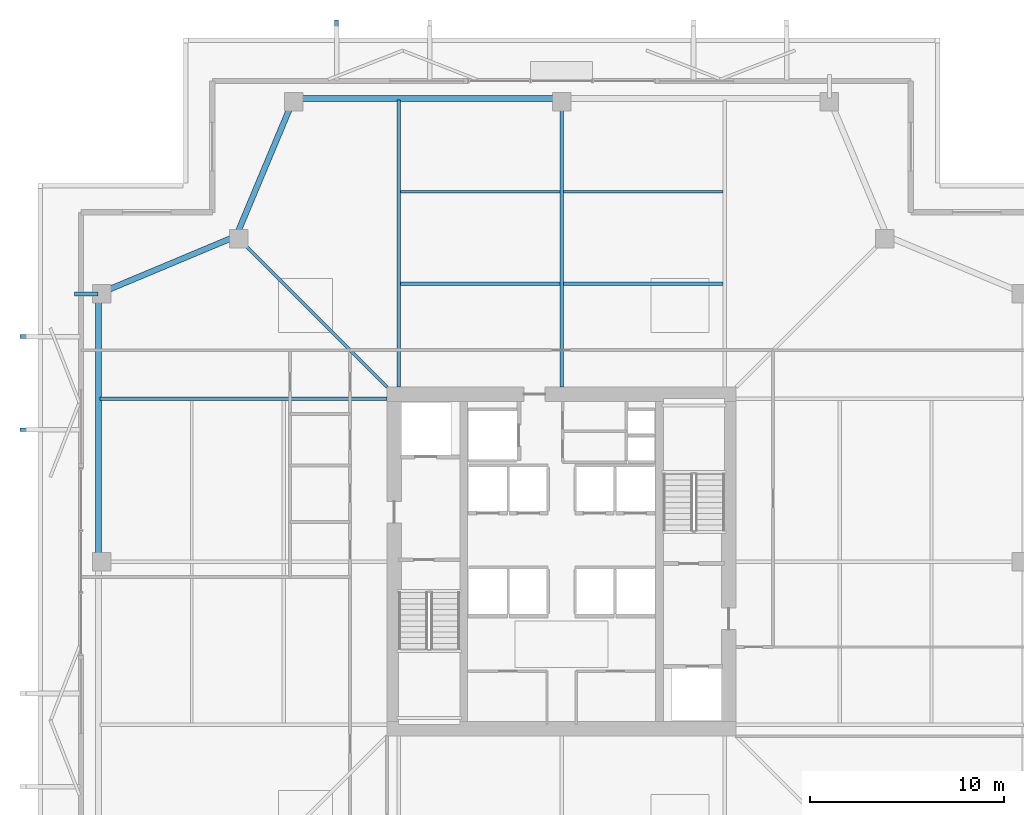
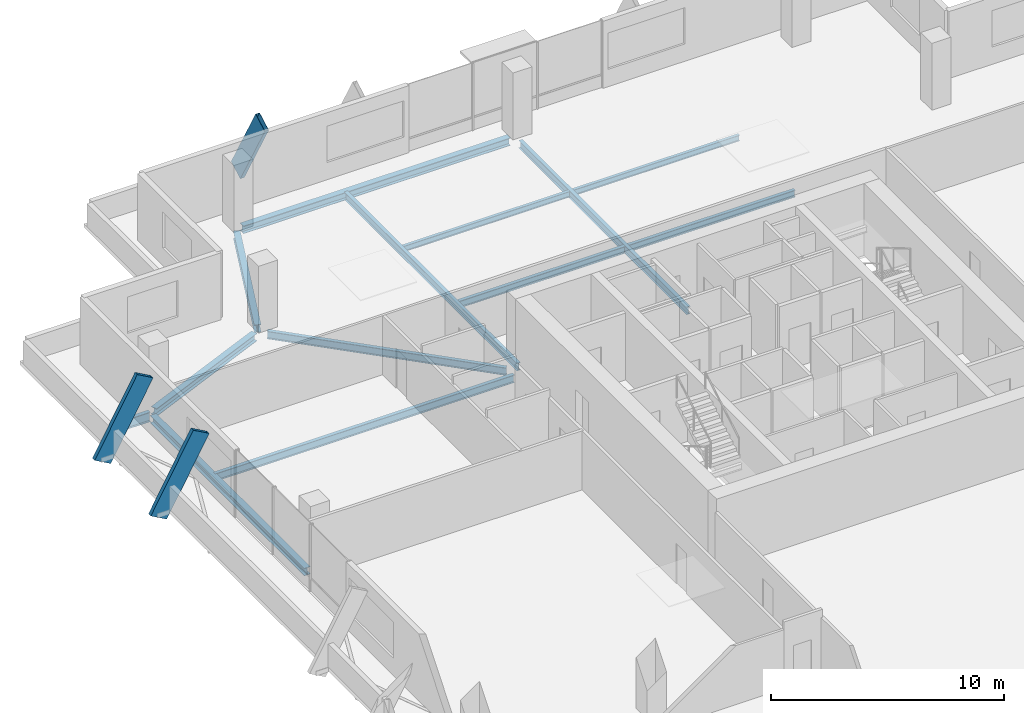
# One storey, part 9 of 17: 13 beams, 3 members.
"""IFC4 building model written with IfcOpenShell, lengths in metres."""

from ifc_helpers import new_model, si_unit, direction, frame, origin, origin_2d, place, context, subcontext, project, spatial, hollow_rectangle, i_section, extrude, material, material_profile, profile_set, type_object, element, save


model = new_model("IFC4")

# Units and contexts
model_context = context("Model", 3, precision=1e-05, world=origin(), true_north=direction((0.0, 1.0)))
body_context = subcontext(model_context, "Body", "Model", "MODEL_VIEW")
ifc_project = project(units=[si_unit("LENGTHUNIT", "METRE"), si_unit("AREAUNIT", "SQUARE_METRE"), si_unit("VOLUMEUNIT", "CUBIC_METRE"), si_unit("PLANEANGLEUNIT", "RADIAN"), si_unit("MASSUNIT", "GRAM", prefix="KILO")], contexts=[model_context])

# Site, building, storey
site_placement = place(None, origin())
site = spatial("IfcSite", under=ifc_project, at=site_placement, CompositionType="ELEMENT")
building_placement = place(site_placement, origin())
building = spatial("IfcBuilding", under=site, at=building_placement, Name="Belovzor Exchange Tower", CompositionType="ELEMENT")
storey_placement = place(building_placement, frame((0.0, 0.0, 246.60009765625)))
storey = spatial("IfcBuildingStorey", under=building, at=storey_placement, Name="L61", CompositionType="ELEMENT", Elevation=246.60009765625)

# Beams
ifc_material_1 = material(Name="Steel S355", Category="steel")
ifc_material_profile_1 = material_profile(ifc_material_1, i_section(OverallWidth=0.199951171875, OverallDepth=0.5, WebThickness=0.01025390625, FlangeThickness=0.01611328125, at=origin_2d()))
ifc_profile_set_1 = profile_set([ifc_material_profile_1], Name="Steel S355")
beam_type_1 = type_object("IfcBeamType", Name="Planted Balcony Cantilever Beam IPE 500", PredefinedType="BEAM", material=ifc_profile_set_1)
beam_1_placement = place(storey_placement, frame((4.906005859375, 42.60009765625, -0.5), z_axis=(-1.0, 0.0, 0.0), x_axis=(0.0, -1.0, 0.0)))
element("IfcBeam", 1, at=beam_1_placement, inside=storey, type_object=beam_type_1, Name="BC-500 Planted Balcony Cantilever Beam IPE 500", PredefinedType="BEAM", context=body_context, shape_type="SweptSolid", body=[
    extrude(i_section(OverallWidth=0.199951171875, OverallDepth=0.5, WebThickness=0.01025390625, FlangeThickness=0.01611328125, at=origin_2d()), origin(), (0.0, 0.0, 1.0), 1.2060546875),
])
ifc_material_2 = material(Name="Steel S355", Category="steel")
ifc_material_profile_2 = material_profile(ifc_material_2, i_section(OverallWidth=0.169921875, OverallDepth=0.360107421875, WebThickness=0.008056640625, FlangeThickness=0.0126953125, at=origin_2d()))
ifc_profile_set_2 = profile_set([ifc_material_profile_2], Name="Steel S355")
beam_type_2 = type_object("IfcBeamType", Name="Secondary Infill Floor Joist IPE 360", PredefinedType="BEAM", material=ifc_profile_set_2)
beam_2_placement = place(storey_placement, frame((20.489990234375, 43.1279296875, -0.43017578125), z_axis=(1.0, 0.0, 0.0), x_axis=(0.0, 1.0, 0.0)))
element("IfcBeam", 2, at=beam_2_placement, inside=storey, type_object=beam_type_2, Name="FJ-360 Secondary Infill Floor Joist IPE 360", PredefinedType="BEAM", context=body_context, shape_type="SweptSolid", body=[
    extrude(i_section(OverallWidth=0.169921875, OverallDepth=0.360107421875, WebThickness=0.008056640625, FlangeThickness=0.0126953125, at=origin_2d()), origin(), (0.0, 0.0, 1.0), 8.219970703125),
])
beam_3_placement = place(storey_placement, frame((28.889892578125, 43.1279296875, -0.43017578125), z_axis=(1.0, 0.0, 0.0), x_axis=(0.0, 1.0, 0.0)))
element("IfcBeam", 3, at=beam_3_placement, inside=storey, type_object=beam_type_2, Name="FJ-360 Secondary Infill Floor Joist IPE 360", PredefinedType="BEAM", context=body_context, shape_type="SweptSolid", body=[
    extrude(i_section(OverallWidth=0.169921875, OverallDepth=0.360107421875, WebThickness=0.008056640625, FlangeThickness=0.0126953125, at=origin_2d()), origin(), (0.0, 0.0, 1.0), 8.22021484375),
])
ifc_material_3 = material(Name="Steel S355", Category="steel")
ifc_material_profile_3 = material_profile(ifc_material_3, i_section(OverallWidth=0.14990234375, OverallDepth=0.300048828125, WebThickness=0.007080078125, FlangeThickness=0.0107421875, at=origin_2d()))
ifc_profile_set_3 = profile_set([ifc_material_profile_3], Name="Steel S355")
beam_type_3 = type_object("IfcBeamType", Name="Secondary Trim Floor Joist IPE 300", PredefinedType="BEAM", material=ifc_profile_set_3)
beam_4_placement = place(storey_placement, frame((20.489990234375, 47.864013671875, -0.400146484375), z_axis=(1.0, 0.0, 0.0), x_axis=(0.0, 1.0, 0.0)))
element("IfcBeam", 4, at=beam_4_placement, inside=storey, type_object=beam_type_3, Name="FJ-300 Secondary Trim Floor Joist IPE 300", PredefinedType="BEAM", context=body_context, shape_type="SweptSolid", body=[
    extrude(i_section(OverallWidth=0.14990234375, OverallDepth=0.300048828125, WebThickness=0.007080078125, FlangeThickness=0.0107421875, at=origin_2d()), origin(), (0.0, 0.0, 1.0), 8.219970703125),
])
beam_5_placement = place(storey_placement, frame((28.889892578125, 47.864013671875, -0.400146484375), z_axis=(1.0, 0.0, 0.0), x_axis=(0.0, 1.0, 0.0)))
element("IfcBeam", 5, at=beam_5_placement, inside=storey, type_object=beam_type_3, Name="FJ-300 Secondary Trim Floor Joist IPE 300", PredefinedType="BEAM", context=body_context, shape_type="SweptSolid", body=[
    extrude(i_section(OverallWidth=0.14990234375, OverallDepth=0.300048828125, WebThickness=0.007080078125, FlangeThickness=0.0107421875, at=origin_2d()), origin(), (0.0, 0.0, 1.0), 8.22021484375),
])

# Members
ifc_material_4 = material(Name="Extruded Architectural Terracotta on Steel S355 Carrier", Category="masonry")
ifc_material_profile_4 = material_profile(ifc_material_4, hollow_rectangle(XDim=0.199951171875, YDim=0.89990234375, WallThickness=0.011962890625, at=origin_2d()))
ifc_profile_set_4 = profile_set([ifc_material_profile_4], Name="Extruded Architectural Terracotta on Steel S355 Carrier")
member_type = type_object("IfcMemberType", Name="Sweeping Terracotta Baguette Fin Assembly 950", PredefinedType="USERDEFINED", material=ifc_profile_set_4)
member_placement = place(storey_placement, frame((17.199951171875, 56.324951171875, -0.25), z_axis=(0.0, -0.488577422588, 0.872520545396), x_axis=(1.0, 0.0, 0.0)))
element("IfcMember", 6, at=member_placement, inside=storey, type_object=member_type, Name="FIN-TC095 Terracotta Facade Fin L61 N1", ObjectType="FIN", PredefinedType="USERDEFINED", context=body_context, shape_type="SweptSolid", body=[
    extrude(hollow_rectangle(XDim=0.199951171875, YDim=0.89990234375, WallThickness=0.011962890625, at=origin_2d()), origin(), (0.0, 0.0, 1.0), 4.2978515625),
])
for number, where, z_axis, x_axis, name in (
    (7, (1.27490234375, 35.60009765625, -0.25), (0.488620665774, 0.0, 0.872496329493), (0.0, 1.0, 0.0), "FIN-TC095 Terracotta Facade Fin L61 W3"),
    (8, (1.27490234375, 40.39990234375, -0.25), (0.488620665774, 0.0, 0.872496329493), (0.0, 1.0, 0.0), "FIN-TC095 Terracotta Facade Fin L61 W4"),
):
    element("IfcMember", number, at=place(storey_placement, frame(where, z_axis=z_axis, x_axis=x_axis)), inside=storey, type_object=member_type, Name=name, ObjectType="FIN", PredefinedType="USERDEFINED", context=body_context, shape_type="SweptSolid", body=[
        extrude(hollow_rectangle(XDim=0.199951171875, YDim=0.89990234375, WallThickness=0.011962890625, at=origin_2d()), origin(), (0.0, 0.0, 1.0), 4.298095703125),
    ])

# Beams
ifc_material_5 = material(Name="Steel S355", Category="steel")
ifc_material_profile_5 = material_profile(ifc_material_5, i_section(OverallWidth=0.300048828125, OverallDepth=0.39990234375, WebThickness=0.013427734375, FlangeThickness=0.02392578125, at=origin_2d()))
ifc_profile_set_5 = profile_set([ifc_material_profile_5], Name="Steel S355")
beam_type_4 = type_object("IfcBeamType", Name="Zone 5 Primary Girder HEB 400", PredefinedType="BEAM", material=ifc_profile_set_5)
beam_6_placement = place(storey_placement, frame((28.498046875, 52.675048828125, -0.4501953125), z_axis=(-1.0, 0.0, 0.0), x_axis=(0.0, -1.0, 0.0)))
element("IfcBeam", 9, at=beam_6_placement, inside=storey, type_object=beam_type_4, Name="FG-Z5 Zone 5 Primary Girder HEB 400", PredefinedType="BEAM", context=body_context, shape_type="SweptSolid", body=[
    extrude(i_section(OverallWidth=0.300048828125, OverallDepth=0.39990234375, WebThickness=0.013427734375, FlangeThickness=0.02392578125, at=origin_2d()), origin(), (0.0, 0.0, 1.0), 13.195068359375),
])
for number, where, z_axis, x_axis, name in (
    (10, (14.883056640625, 52.39599609375, -0.4501953125), (-0.386432990342, -0.922317485455, 0.0), (0.922317485455, -0.386432990342, 0.0), "FG-Z5 Zone 5 Primary Girder HEB 400"),
    (11, (11.74609375, 45.4580078125, -0.4501953125), (-0.922317485455, -0.386432990342, 0.0), (0.386432990342, -0.922317485455, 0.0), "FG-Z5 Zone 5 Primary Girder HEB 400"),
):
    element("IfcBeam", number, at=place(storey_placement, frame(where, z_axis=z_axis, x_axis=x_axis)), inside=storey, type_object=beam_type_4, Name=name, PredefinedType="BEAM", context=body_context, shape_type="SweptSolid", body=[
        extrude(i_section(OverallWidth=0.300048828125, OverallDepth=0.39990234375, WebThickness=0.013427734375, FlangeThickness=0.02392578125, at=origin_2d()), origin(), (0.0, 0.0, 1.0), 7.093017578125),
    ])
beam_7_placement = place(storey_placement, frame((4.925048828125, 42.297119140625, -0.4501953125), z_axis=(0.0, -1.0, 0.0), x_axis=(1.0, 0.0, 0.0)))
element("IfcBeam", 12, at=beam_7_placement, inside=storey, type_object=beam_type_4, Name="FG-Z5 Zone 5 Primary Girder HEB 400", PredefinedType="BEAM", context=body_context, shape_type="SweptSolid", body=[
    extrude(i_section(OverallWidth=0.300048828125, OverallDepth=0.39990234375, WebThickness=0.013427734375, FlangeThickness=0.02392578125, at=origin_2d()), origin(), (0.0, 0.0, 1.0), 13.195068359375),
])
ifc_material_6 = material(Name="Steel S355", Category="steel")
ifc_material_profile_6 = material_profile(ifc_material_6, i_section(OverallWidth=0.179931640625, OverallDepth=0.39990234375, WebThickness=0.008544921875, FlangeThickness=0.013427734375, at=origin_2d()))
ifc_profile_set_6 = profile_set([ifc_material_profile_6], Name="Steel S355")
beam_type_5 = type_object("IfcBeamType", Name="Zone 5-6 Radial Composite Floor Beam IPE 400", PredefinedType="BEAM", material=ifc_profile_set_6)
beam_8_placement = place(storey_placement, frame((20.39990234375, 37.800048828125, -0.4501953125), z_axis=(0.0, 1.0, 0.0), x_axis=(-1.0, 0.0, 0.0)))
element("IfcBeam", 13, at=beam_8_placement, inside=storey, type_object=beam_type_5, Name="FB-400 Zone 5-6 Radial Composite Floor Beam IPE 400", PredefinedType="BEAM", context=body_context, shape_type="SweptSolid", body=[
    extrude(i_section(OverallWidth=0.179931640625, OverallDepth=0.39990234375, WebThickness=0.008544921875, FlangeThickness=0.013427734375, at=origin_2d()), origin(), (0.0, 0.0, 1.0), 14.800048828125),
])
beam_9_placement = place(storey_placement, frame((28.800048828125, 37.800048828125, -0.4501953125), z_axis=(0.0, 1.0, 0.0), x_axis=(-1.0, 0.0, 0.0)))
element("IfcBeam", 14, at=beam_9_placement, inside=storey, type_object=beam_type_5, Name="FB-400 Zone 5-6 Radial Composite Floor Beam IPE 400", PredefinedType="BEAM", context=body_context, shape_type="SweptSolid", body=[
    extrude(i_section(OverallWidth=0.179931640625, OverallDepth=0.39990234375, WebThickness=0.008544921875, FlangeThickness=0.013427734375, at=origin_2d()), origin(), (0.0, 0.0, 1.0), 14.390869140625),
])
beam_10_placement = place(storey_placement, frame((19.800048828125, 37.199951171875, -0.4501953125), z_axis=(-1.0, 0.0, 0.0), x_axis=(0.0, -1.0, 0.0)))
element("IfcBeam", 15, at=beam_10_placement, inside=storey, type_object=beam_type_5, Name="FB-400 Zone 5-6 Radial Composite Floor Beam IPE 400", PredefinedType="BEAM", context=body_context, shape_type="SweptSolid", body=[
    extrude(i_section(OverallWidth=0.179931640625, OverallDepth=0.39990234375, WebThickness=0.008544921875, FlangeThickness=0.013427734375, at=origin_2d()), origin(), (0.0, 0.0, 1.0), 14.800048828125),
])
beam_11_placement = place(storey_placement, frame((19.800048828125, 37.800048828125, -0.4501953125), z_axis=(-0.707106781187, 0.707106781187, 0.0), x_axis=(-0.707106781187, -0.707106781187, 0.0)))
element("IfcBeam", 16, at=beam_11_placement, inside=storey, type_object=beam_type_5, Name="FB-400 Zone 5-6 Radial Composite Floor Beam IPE 400", PredefinedType="BEAM", context=body_context, shape_type="SweptSolid", body=[
    extrude(i_section(OverallWidth=0.179931640625, OverallDepth=0.39990234375, WebThickness=0.008544921875, FlangeThickness=0.013427734375, at=origin_2d()), origin(), (0.0, 0.0, 1.0), 10.606689453125),
])

save(model, "model.ifc")
